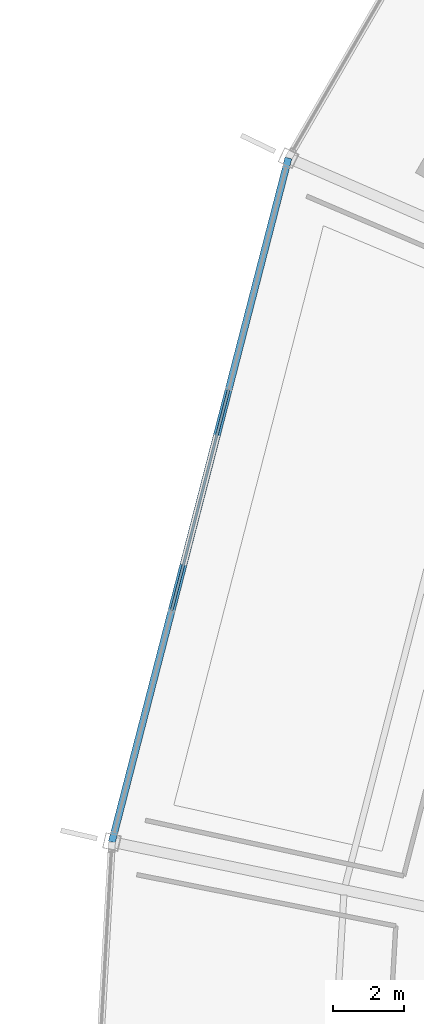
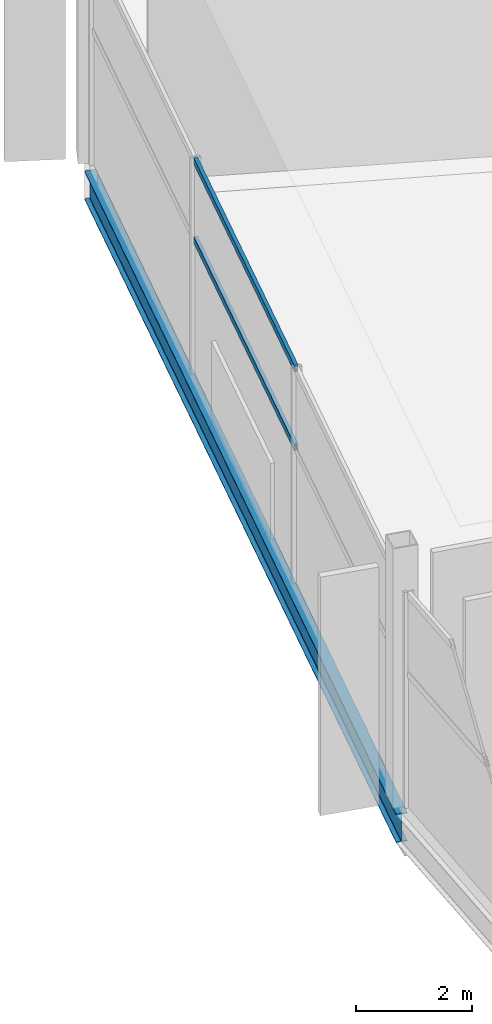
# One storey, part 52 of 186: 2 members, 1 beam, 1 element without a shape of its own.
"""IFC4 building model written with IfcOpenShell, lengths in metres."""

import ifcopenshell
import ifcopenshell.guid

model = None  # the IFC model being written
_history = None  # IfcOwnerHistory: only IFC2X3 demands one
_inside = {}  # id of a spatial element -> (the spatial element, [elements in it])
_under = {}  # id of a project, library or spatial element -> (it, [spatial elements below it])
_declared = {}  # id of a project -> (the project, [libraries it declares])
_typed = {}  # id of a type object -> (the type object, [elements of that type])
_made_of = {}  # id of a material, layer set ... -> (it, [elements and type objects made of it])


def new_model(schema):
    """Start an empty IFC model of exactly this schema.

    Asked for "IFC4X3", IfcOpenShell would pick the latest addendum, in which some entities
    have other attributes; the version numbers below select the first issue.
    IFC2X3 requires an IfcOwnerHistory on every rooted entity: one is made here for all.
    """
    global model, _history
    if schema == "IFC4X3":
        model = ifcopenshell.file(schema_version=(4, 3, 0, 0))
    else:
        model = ifcopenshell.file(schema=schema)
    _inside.clear()
    _under.clear()
    _declared.clear()
    _typed.clear()
    _made_of.clear()
    _history = None
    if model.schema == "IFC2X3":
        org = make("IfcOrganization", Name="unknown")
        user = make(
            "IfcPersonAndOrganization",
            ThePerson=make("IfcPerson", FamilyName="unknown"),
            TheOrganization=org,
        )
        app = make(
            "IfcApplication",
            ApplicationDeveloper=org,
            Version="unknown",
            ApplicationFullName="unknown",
            ApplicationIdentifier="unknown",
        )
        _history = make(
            "IfcOwnerHistory",
            OwningUser=user,
            OwningApplication=app,
            ChangeAction="ADDED",
            CreationDate=0,
        )
    return model


def make(cls, **values):
    """One entity of the class cls with the attributes given. An attribute that is None is left unset."""
    return model.create_entity(
        cls, **{name: value for name, value in values.items() if value is not None}
    )


def rooted(cls, **values):
    """An entity with a GlobalId (a new one), such as an element, a storey or a relation."""
    return make(cls, GlobalId=ifcopenshell.guid.new(), OwnerHistory=_history, **values)


def si_unit(unit_type, name, prefix=None):
    """IfcSIUnit, for example si_unit("LENGTHUNIT", "METRE", prefix="MILLI")."""
    return make("IfcSIUnit", UnitType=unit_type, Prefix=prefix, Name=name)


def assignment(units):
    """IfcUnitAssignment: the units of a project."""
    return None if units is None else make("IfcUnitAssignment", Units=units)


def point(xyz):
    """IfcCartesianPoint."""
    return None if xyz is None else make("IfcCartesianPoint", Coordinates=xyz)


def direction(xyz):
    """IfcDirection."""
    return None if xyz is None else make("IfcDirection", DirectionRatios=xyz)


def frame(location, z_axis=None, x_axis=None):
    """IfcAxis2Placement3D, a coordinate frame: its origin and axes. An axis left out is left unset."""
    return make(
        "IfcAxis2Placement3D",
        Location=point(location),
        Axis=direction(z_axis),
        RefDirection=direction(x_axis),
    )


def frame_2d(location, x_axis=None):
    """IfcAxis2Placement2D, a coordinate frame in the plane: its origin and x axis."""
    return make(
        "IfcAxis2Placement2D", Location=point(location), RefDirection=direction(x_axis)
    )


def origin():
    """The frame at (0, 0, 0) with its axes left unset."""
    return frame((0.0, 0.0, 0.0))


def origin_2d():
    """The frame at (0, 0) in the plane with its x axis left unset."""
    return frame_2d((0.0, 0.0))


def place(relative_to, where):
    """IfcLocalPlacement: puts the frame where relative to a parent placement (None: the world)."""
    return make(
        "IfcLocalPlacement", PlacementRelTo=relative_to, RelativePlacement=where
    )


def context(
    kind, dimensions, precision=None, world=None, true_north=None, identifier=None
):
    """IfcGeometricRepresentationContext, for example the 3D "Model" context."""
    return make(
        "IfcGeometricRepresentationContext",
        ContextIdentifier=identifier,
        ContextType=kind,
        CoordinateSpaceDimension=dimensions,
        Precision=precision,
        WorldCoordinateSystem=world,
        TrueNorth=true_north,
    )


def subcontext(parent, identifier, kind, view, scale=None):
    """IfcGeometricRepresentationSubContext, for example "Body" below "Model"."""
    return make(
        "IfcGeometricRepresentationSubContext",
        ContextIdentifier=identifier,
        ContextType=kind,
        ParentContext=parent,
        TargetScale=scale,
        TargetView=view,
    )


def project(units=None, contexts=None):
    """IfcProject with its units and contexts."""
    return rooted(
        "IfcProject",
        Name="project",
        RepresentationContexts=contexts,
        UnitsInContext=assignment(units),
    )


def spatial(cls, under=None, at=None, **own):
    """A site, building, storey or space (cls), placed at a placement, below another one or the project."""
    s = rooted(cls, ObjectPlacement=at, **own)
    if under is not None:
        _under.setdefault(under.id(), (under, []))[1].append(s)
    return s


def profile(cls, at=None, kind="AREA", **sizes):
    """A parametric profile (cls). Its sizes go by their IFC names, for example OverallWidth=200.0."""
    return make(cls, ProfileType=kind, Position=at, **sizes)


def hollow_rectangle(**sizes):
    """IfcRectangleHollowProfileDef."""
    return profile("IfcRectangleHollowProfileDef", **sizes)


def i_section(**sizes):
    """IfcIShapeProfileDef."""
    return profile("IfcIShapeProfileDef", **sizes)


def extrude(swept, where, along, depth):
    """IfcExtrudedAreaSolid: the profile swept, set in the frame where, extruded along a direction by depth."""
    return make(
        "IfcExtrudedAreaSolid",
        SweptArea=swept,
        Position=where,
        ExtrudedDirection=direction(along),
        Depth=depth,
    )


def shape(context_of_items, identifier, shape_type, items):
    """IfcShapeRepresentation: the items that make up one representation, for example the "Body"."""
    return make(
        "IfcShapeRepresentation",
        ContextOfItems=context_of_items,
        RepresentationIdentifier=identifier,
        RepresentationType=shape_type,
        Items=items,
    )


def material(Name=None, Category=None):
    """IfcMaterial."""
    return make("IfcMaterial", Name=Name, Category=Category)


def layer(
    of_material, thickness, ventilated=None, Name=None, Category=None, Priority=None
):
    """IfcMaterialLayer: one layer of a wall or slab, of a material (None: an air gap)."""
    return make(
        "IfcMaterialLayer",
        Material=of_material,
        LayerThickness=thickness,
        IsVentilated=ventilated,
        Name=Name,
        Category=Category,
        Priority=Priority,
    )


def layer_set(layers, Name=None):
    """IfcMaterialLayerSet."""
    return make("IfcMaterialLayerSet", MaterialLayers=layers, LayerSetName=Name)


def material_profile(
    of_material, cross_section, Name=None, Category=None, Priority=None
):
    """IfcMaterialProfile: a cross section and its material."""
    return make(
        "IfcMaterialProfile",
        Name=Name,
        Material=of_material,
        Profile=cross_section,
        Priority=Priority,
        Category=Category,
    )


def profile_set(profiles, Name=None, composite=None):
    """IfcMaterialProfileSet."""
    return make(
        "IfcMaterialProfileSet",
        Name=Name,
        MaterialProfiles=profiles,
        CompositeProfile=composite,
    )


def made_of(thing, what):
    """Note that an element or type object is made of a material, layer set ...; save() writes the relation."""
    if what is not None:
        _made_of.setdefault(what.id(), (what, []))[1].append(thing)
    return thing


def type_object(cls, material=None, **own):
    """A type object (cls), such as IfcWallType, which elements share."""
    return made_of(rooted(cls, **own), material)


def element(
    cls,
    number,
    at=None,
    inside=None,
    cuts=None,
    type_object=None,
    material=None,
    context=None,
    identifier="Body",
    shape_type=None,
    held_by="IfcProductDefinitionShape",
    body=None,
    shapes=None,
    **own,
):
    """One element of the class cls, such as IfcWall. Its Tag is "e" and its number.

    at: its placement. inside: the storey or other place that contains it. cuts: it is an
    opening in that element (IfcRelVoidsElement). A single representation is given by context,
    identifier, shape_type and body (its items); several are given by shapes. held_by: the class
    of the entity that holds the representations. save() writes the other relations.
    """
    e = rooted(cls, Tag="e%d" % number, ObjectPlacement=at, **own)
    if body is not None:
        shapes = [shape(context, identifier, shape_type, body)]
    if shapes is not None:
        e.Representation = make(held_by, Representations=shapes)
    if inside is not None:
        _inside.setdefault(inside.id(), (inside, []))[1].append(e)
    if cuts is not None:
        rooted(
            "IfcRelVoidsElement", RelatingBuildingElement=cuts, RelatedOpeningElement=e
        )
    if type_object is not None:
        _typed.setdefault(type_object.id(), (type_object, []))[1].append(e)
    return made_of(e, material)


def aggregate(whole, parts):
    """IfcRelAggregates: a whole, such as a stair, and the parts it consists of."""
    return rooted("IfcRelAggregates", RelatingObject=whole, RelatedObjects=parts)


def save(model, path):
    """Write the relations noted so far, then the file.

    IfcRelAggregates (storeys below a building ...), IfcRelContainedInSpatialStructure (elements
    in a storey), IfcRelDefinesByType, IfcRelAssociatesMaterial and IfcRelDeclares: one each for
    every whole, place, type object, material and project.
    """
    for whole, parts in _under.values():
        aggregate(whole, parts)
    for where, things in _inside.values():
        rooted(
            "IfcRelContainedInSpatialStructure",
            RelatedElements=things,
            RelatingStructure=where,
        )
    for kind, things in _typed.values():
        rooted("IfcRelDefinesByType", RelatedObjects=things, RelatingType=kind)
    for what, things in _made_of.values():
        rooted("IfcRelAssociatesMaterial", RelatedObjects=things, RelatingMaterial=what)
    for by, libraries in _declared.values():
        rooted("IfcRelDeclares", RelatingContext=by, RelatedDefinitions=libraries)
    model.write(path)


model = new_model("IFC4")

# Units and contexts
model_context = context("Model", 3, precision=1e-05, world=origin(), true_north=direction((0.0, 1.0)))
body_context = subcontext(model_context, "Body", "Model", "MODEL_VIEW")
ifc_project = project(units=[si_unit("LENGTHUNIT", "METRE"), si_unit("AREAUNIT", "SQUARE_METRE"), si_unit("VOLUMEUNIT", "CUBIC_METRE"), si_unit("PLANEANGLEUNIT", "RADIAN"), si_unit("MASSUNIT", "GRAM", prefix="KILO")], contexts=[model_context])

# Site, building, storey
site_placement = place(None, origin())
site = spatial("IfcSite", under=ifc_project, at=site_placement, CompositionType="ELEMENT")
building_placement = place(site_placement, origin())
building = spatial("IfcBuilding", under=site, at=building_placement, Name="Kazemori Nagisa Stadium", CompositionType="ELEMENT")
storey_placement = place(building_placement, frame((0.0, 0.0, 20.39990234375)))
storey = spatial("IfcBuildingStorey", under=building, at=storey_placement, Name="L04", CompositionType="ELEMENT", Elevation=20.39990234375)

# Beam
ifc_material_1 = material(Name="Steel SN490B", Category="steel")
ifc_material_profile_1 = material_profile(ifc_material_1, i_section(OverallWidth=0.199951171875, OverallDepth=0.60009765625, WebThickness=0.010986328125, FlangeThickness=0.01708984375, FilletRadius=0.012939453125, at=origin_2d()), Name="H-600x200x11x17")
ifc_profile_set_1 = profile_set([ifc_material_profile_1], Name="Steel SN490B")
beam_type = type_object("IfcBeamType", Name="Beam_BS-H600", PredefinedType="SPANDREL", material=ifc_profile_set_1)
beam_placement = place(storey_placement, frame((34.114990234375, 140.74951171875, -0.599853515625), z_axis=(-0.249964097999, -0.968255105699, 0.0), x_axis=(0.968255105699, -0.249964097999, 0.0)))
element("IfcBeam", 1, at=beam_placement, inside=storey, type_object=beam_type, Name="Ring girder BS-H600 L04 R3-13", PredefinedType="SPANDREL", context=body_context, shape_type="SweptSolid", body=[
    extrude(i_section(OverallWidth=0.199951171875, OverallDepth=0.60009765625, WebThickness=0.010986328125, FlangeThickness=0.01708984375, FilletRadius=0.012939453125, at=origin_2d()), origin(), (0.0, 0.0, 1.0), 19.986328125),
])

# Curtain wall, members
ifc_material_2 = material(Name="Anodised aluminium 6063-T5", Category="aluminium")
ifc_layer = layer(ifc_material_2, 0.179931640625, Name="Anodised aluminium 6063-T5", Category="aluminium")
ifc_layer_set = layer_set([ifc_layer], Name="Anodised aluminium 6063-T5")
curtain_wall_type = type_object("IfcCurtainWallType", Name="CW_L04R3_98", PredefinedType="USERDEFINED", material=ifc_layer_set)
curtain_wall_placement = place(storey_placement, origin())
curtain_wall = element("IfcCurtainWall", 2, at=curtain_wall_placement, inside=storey, type_object=curtain_wall_type, Name="Unitised curtain wall CW-L04R3-98 L04", ObjectType="UNITISED CURTAIN WALL", PredefinedType="USERDEFINED")
ifc_material_3 = material(Name="Aluminium 6063-T5 anodised", Category="aluminium")
ifc_material_profile_2 = material_profile(ifc_material_3, hollow_rectangle(XDim=0.070068359375, YDim=0.139892578125, WallThickness=0.00390625, at=origin_2d()), Name="ALU-TRAN-70x140x4")
ifc_profile_set_2 = profile_set([ifc_material_profile_2], Name="Aluminium 6063-T5 anodised")
member_type = type_object("IfcMemberType", Name="Transom_T01", PredefinedType="USERDEFINED", material=ifc_profile_set_2)
member_1_placement = place(storey_placement, frame((32.423583984375, 134.197265625, 2.80859375), z_axis=(-0.249962703007, -0.968255465828, 0.0), x_axis=(0.968255465828, -0.249962703007, 0.0)))
member_1 = element("IfcMember", 3, at=member_1_placement, type_object=member_type, Name="Curtain wall transom CW-L04R3-98-T2-mid", ObjectType="TRANSOM", PredefinedType="USERDEFINED", context=body_context, shape_type="SweptSolid", body=[
    extrude(hollow_rectangle(XDim=0.070068359375, YDim=0.139892578125, WallThickness=0.00390625, at=origin_2d()), origin(), (0.0, 0.0, 1.0), 6.4521484375),
])
member_2_placement = place(storey_placement, frame((32.423583984375, 134.197265625, 4.460205078125), z_axis=(-0.249962703007, -0.968255465828, 0.0), x_axis=(0.968255465828, -0.249962703007, 0.0)))
member_2 = element("IfcMember", 4, at=member_2_placement, type_object=member_type, Name="Curtain wall transom CW-L04R3-98-T2-head", ObjectType="TRANSOM", PredefinedType="USERDEFINED", context=body_context, shape_type="SweptSolid", body=[
    extrude(hollow_rectangle(XDim=0.070068359375, YDim=0.139892578125, WallThickness=0.00390625, at=origin_2d()), origin(), (0.0, 0.0, 1.0), 6.4521484375),
])
aggregate(curtain_wall, [member_1, member_2])

save(model, "model.ifc")
